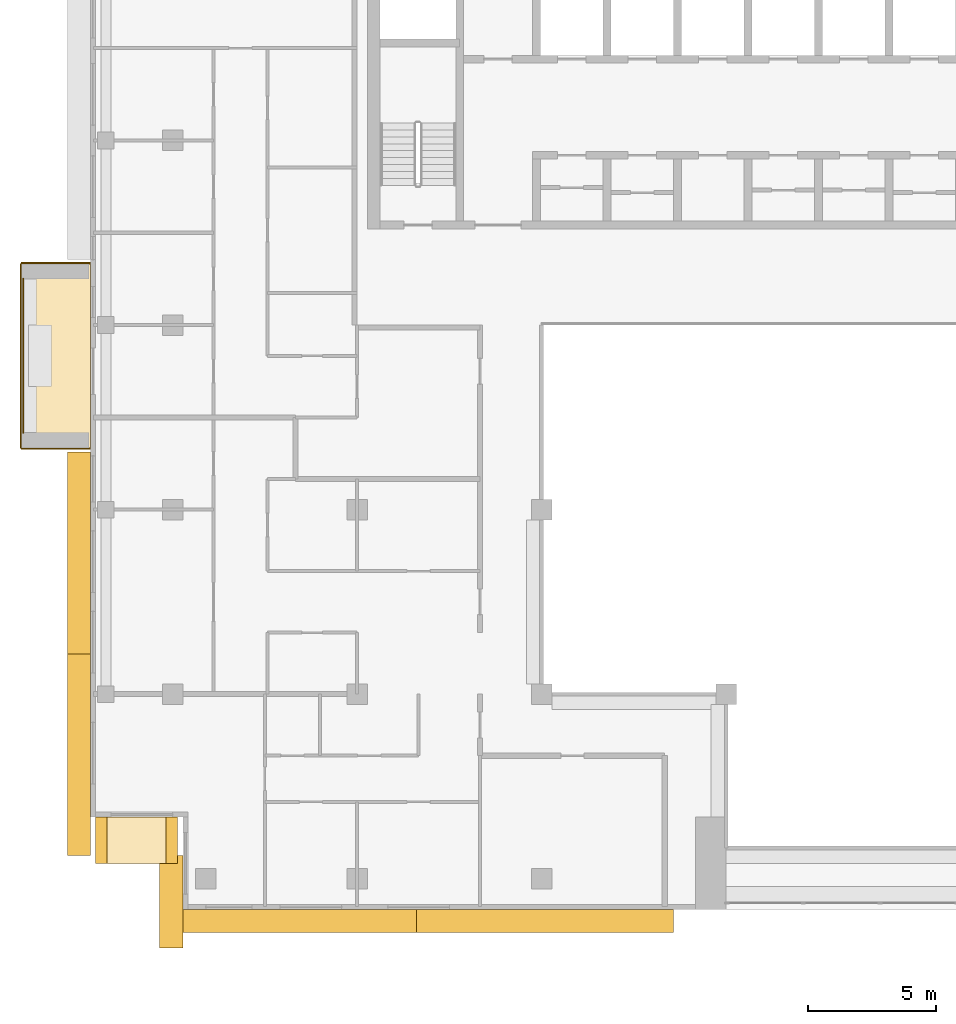
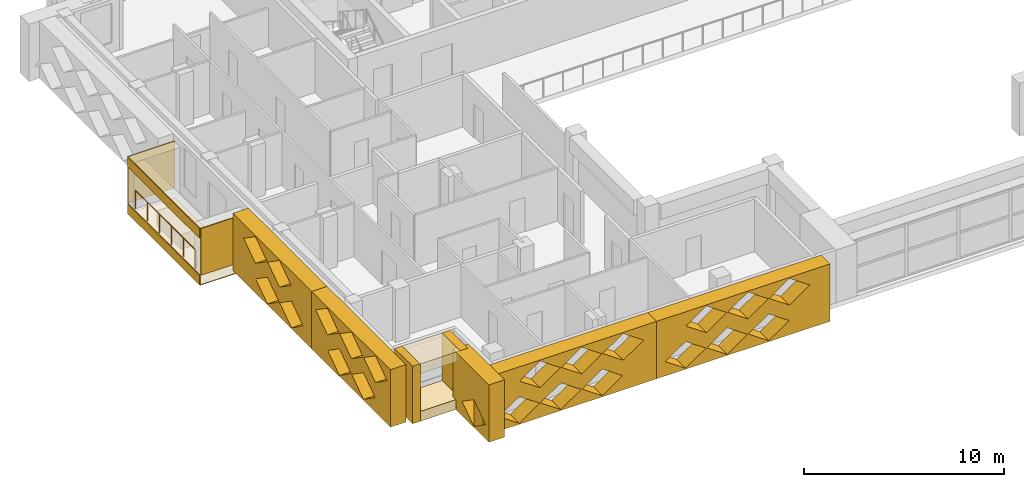
# One storey, part 13 of 19: 14 coverings, 1 railing.
"""IFC4 building model written with IfcOpenShell, lengths in metres."""

from ifc_helpers import new_model, si_unit, direction, frame, origin, origin_2d, place, context, subcontext, project, spatial, polyline, circle, outline, extrude, material, layer, layer_set, type_object, element, save


model = new_model("IFC4")

# Units and contexts
model_context = context("Model", 3, precision=1e-05, world=origin(), true_north=direction((0.0, 1.0)))
body_context = subcontext(model_context, "Body", "Model", "MODEL_VIEW")
ifc_project = project(units=[si_unit("LENGTHUNIT", "METRE"), si_unit("AREAUNIT", "SQUARE_METRE"), si_unit("VOLUMEUNIT", "CUBIC_METRE"), si_unit("PLANEANGLEUNIT", "RADIAN"), si_unit("MASSUNIT", "GRAM", prefix="KILO")], contexts=[model_context])

# Site, building, storey
site_placement = place(None, origin())
site = spatial("IfcSite", under=ifc_project, at=site_placement, CompositionType="ELEMENT")
building_placement = place(site_placement, origin())
building = spatial("IfcBuilding", under=site, at=building_placement, Name="Saffron Iwan Residences", CompositionType="ELEMENT")
storey_placement = place(building_placement, frame((0.0, 0.0, 232.5)))
storey = spatial("IfcBuildingStorey", under=building, at=storey_placement, Name="L62", CompositionType="ELEMENT", Elevation=232.5)

# Railing
ifc_material_1 = material(Name="Stainless steel 316", Category="steel")
railing_type = type_object("IfcRailingType", Name="BALCONY GUARD 1150", PredefinedType="GUARDRAIL", material=ifc_material_1)
railing_placement = place(storey_placement, frame((15.77490234375, 64.199951171875, 0.0)))
element("IfcRailing", 1, at=railing_placement, inside=storey, type_object=railing_type, Name="Balcony guard L62 F8-0", PredefinedType="GUARDRAIL", context=body_context, shape_type="SweptSolid", body=[
    extrude(circle(Radius=0.02392578125, at=origin_2d()), frame((0.0, 0.0, 1.1259765625), z_axis=(0.0, -1.0, 0.0), x_axis=(1.0, 0.0, 0.0)), (0.0, 0.0, 1.0), 6.0),
    extrude(circle(Radius=0.02099609375, at=origin_2d()), origin(), (0.0, 0.0, 1.0), 1.101806640625),
    extrude(circle(Radius=0.02099609375, at=origin_2d()), frame((0.0, -1.199951171875, 0.0)), (0.0, 0.0, 1.0), 1.101806640625),
    extrude(circle(Radius=0.02099609375, at=origin_2d()), frame((0.0, -2.39990234375, 0.0)), (0.0, 0.0, 1.0), 1.101806640625),
    extrude(circle(Radius=0.02099609375, at=origin_2d()), frame((0.0, -3.60009765625, 0.0)), (0.0, 0.0, 1.0), 1.101806640625),
    extrude(circle(Radius=0.02099609375, at=origin_2d()), frame((0.0, -4.800048828125, 0.0)), (0.0, 0.0, 1.0), 1.101806640625),
    extrude(circle(Radius=0.02099609375, at=origin_2d()), frame((0.0, -6.0, 0.0)), (0.0, 0.0, 1.0), 1.101806640625),
])

# Coverings
ifc_material_2 = material(Name="Precast concrete C40/50 white painted", Category="concrete")
ifc_layer = layer(ifc_material_2, 0.050048828125)
ifc_layer_set = layer_set([ifc_layer], Name="Precast concrete C40/50 white painted")
covering_type_1 = type_object("IfcCoveringType", Name="FRAME SKIN PRECAST WHITE 50", PredefinedType="CLADDING", material=ifc_layer_set)
for number, where, name in (
    (2, (0.0, 0.0, -0.60009765625), "Frame skin slab edge L62 F8-0"),
    (3, (0.0, 0.0, 2.25), "Frame skin fascia L62 F8-0"),
):
    element("IfcCovering", number, at=place(storey_placement, frame(where)), inside=storey, type_object=covering_type_1, Name=name, PredefinedType="CLADDING", context=body_context, shape_type="SweptSolid", body=[
        extrude(outline(polyline([(15.64990234375, 64.800048828125), (15.64990234375, 57.60009765625), (15.699951171875, 57.60009765625), (15.699951171875, 64.800048828125), (15.64990234375, 64.800048828125)])), origin(), (0.0, 0.0, 1.0), 0.60009765625),
    ])
covering_1_placement = place(storey_placement, frame((0.0, 0.0, -0.64990234375)))
element("IfcCovering", 4, at=covering_1_placement, inside=storey, type_object=covering_type_1, Name="Frame skin soffit L62 F8-0", PredefinedType="CLADDING", context=body_context, shape_type="SweptSolid", body=[
    extrude(outline(polyline([(15.699951171875, 64.800048828125), (15.699951171875, 57.60009765625), (18.39990234375, 57.60009765625), (18.39990234375, 64.800048828125), (15.699951171875, 64.800048828125)])), origin(), (0.0, 0.0, 1.0), 0.0498046875),
])
covering_2_placement = place(storey_placement, origin())
element("IfcCovering", 5, at=covering_2_placement, inside=storey, type_object=covering_type_1, Name="Frame skin fin L62 F8-0a", PredefinedType="CLADDING", context=body_context, shape_type="SweptSolid", body=[
    extrude(outline(polyline([(15.699951171875, 64.85009765625), (15.699951171875, 64.800048828125), (18.39990234375, 64.800048828125), (18.39990234375, 64.85009765625), (15.699951171875, 64.85009765625)])), origin(), (0.0, 0.0, 1.0), 2.85009765625),
])
covering_3_placement = place(storey_placement, origin())
element("IfcCovering", 6, at=covering_3_placement, inside=storey, type_object=covering_type_1, Name="Frame skin fin L62 F8-0b", PredefinedType="CLADDING", context=body_context, shape_type="SweptSolid", body=[
    extrude(outline(polyline([(15.699951171875, 57.60009765625), (15.699951171875, 57.550048828125), (18.39990234375, 57.550048828125), (18.39990234375, 57.60009765625), (15.699951171875, 57.60009765625)])), origin(), (0.0, 0.0, 1.0), 2.85009765625),
])
ifc_material_3 = material(Name="Precast concrete C40/50", Category="concrete")
covering_type_2 = type_object("IfcCoveringType", Name="OUTER SKIN LATTICE SCREEN", PredefinedType="CLADDING", material=ifc_material_3)
covering_4_placement = place(storey_placement, frame((18.39990234375, 57.449951171875, -0.280029296875), z_axis=(-1.0, 0.0, 0.0), x_axis=(0.0, -1.0, 0.0)))
element("IfcCovering", 7, at=covering_4_placement, inside=storey, type_object=covering_type_2, Name="OUTER SKIN lattice screen L62 F8.1", PredefinedType="CLADDING", context=body_context, shape_type="SweptSolid", body=[
    extrude(outline(polyline([(0.0, 0.0), (7.875, 0.0), (7.875, 3.5), (0.0, 3.5), (0.0, 0.0)]), holes=[polyline([(2.27001953125, 0.875), (3.449951171875, 0.06005859375), (4.6298828125, 0.875), (3.449951171875, 1.68994140625), (2.27001953125, 0.875)]), polyline([(4.669921875, 0.875), (5.85009765625, 0.06005859375), (7.030029296875, 0.875), (5.85009765625, 1.68994140625), (4.669921875, 0.875)]), polyline([(1.070068359375, 2.625), (2.25, 1.81005859375), (3.429931640625, 2.625), (2.25, 3.43994140625), (1.070068359375, 2.625)]), polyline([(3.469970703125, 2.625), (4.64990234375, 1.81005859375), (5.830078125, 2.625), (4.64990234375, 3.43994140625), (3.469970703125, 2.625)])]), origin(), (0.0, 0.0, 1.0), 0.89990234375),
])
covering_5_placement = place(storey_placement, frame((18.39990234375, 49.574951171875, -0.280029296875), z_axis=(-1.0, 0.0, 0.0), x_axis=(0.0, -1.0, 0.0)))
element("IfcCovering", 8, at=covering_5_placement, inside=storey, type_object=covering_type_2, Name="OUTER SKIN lattice screen L62 F8.2", PredefinedType="CLADDING", context=body_context, shape_type="SweptSolid", body=[
    extrude(outline(polyline([(0.0, 0.0), (7.875, 0.0), (7.875, 3.5), (0.0, 3.5), (0.0, 0.0)]), holes=[polyline([(1.594970703125, 0.875), (2.77490234375, 0.06005859375), (3.955078125, 0.875), (2.77490234375, 1.68994140625), (1.594970703125, 0.875)]), polyline([(3.9951171875, 0.875), (5.175048828125, 0.06005859375), (6.35498046875, 0.875), (5.175048828125, 1.68994140625), (3.9951171875, 0.875)]), polyline([(0.39501953125, 2.625), (1.574951171875, 1.81005859375), (2.7548828125, 2.625), (1.574951171875, 3.43994140625), (0.39501953125, 2.625)]), polyline([(2.794921875, 2.625), (3.97509765625, 1.81005859375), (5.155029296875, 2.625), (3.97509765625, 3.43994140625), (2.794921875, 2.625)]), polyline([(5.195068359375, 2.625), (6.375, 1.81005859375), (7.554931640625, 2.625), (6.375, 3.43994140625), (5.195068359375, 2.625)])]), origin(), (0.0, 0.0, 1.0), 0.89990234375),
])
covering_6_placement = place(storey_placement, frame((22.0, 41.699951171875, -0.280029296875), z_axis=(-1.0, 0.0, 0.0), x_axis=(0.0, -1.0, 0.0)))
element("IfcCovering", 9, at=covering_6_placement, inside=storey, type_object=covering_type_2, Name="OUTER SKIN lattice screen L62 F10.0", PredefinedType="CLADDING", context=body_context, shape_type="SweptSolid", body=[
    extrude(outline(polyline([(0.0, 0.0), (3.60009765625, 0.0), (3.60009765625, 3.5), (0.0, 3.5), (0.0, 0.0)]), holes=[polyline([(0.919921875, 0.875), (2.10009765625, 0.06005859375), (3.280029296875, 0.875), (2.10009765625, 1.68994140625), (0.919921875, 0.875)])]), origin(), (0.0, 0.0, 1.0), 0.89990234375),
])
covering_7_placement = place(storey_placement, frame((21.10009765625, 39.60009765625, -0.280029296875), z_axis=(0.0, -1.0, 0.0), x_axis=(1.0, 0.0, 0.0)))
element("IfcCovering", 10, at=covering_7_placement, inside=storey, type_object=covering_type_2, Name="OUTER SKIN lattice screen L62 F11.0", PredefinedType="CLADDING", context=body_context, shape_type="SweptSolid", body=[
    extrude(outline(polyline([(0.0, 0.0), (10.02490234375, 0.0), (10.02490234375, 3.5), (0.0, 3.5), (0.0, 0.0)]), holes=[polyline([(0.919921875, 0.875), (2.10009765625, 0.06005859375), (3.280029296875, 0.875), (2.10009765625, 1.68994140625), (0.919921875, 0.875)]), polyline([(3.320068359375, 0.875), (4.5, 0.06005859375), (5.679931640625, 0.875), (4.5, 1.68994140625), (3.320068359375, 0.875)]), polyline([(5.719970703125, 0.875), (6.89990234375, 0.06005859375), (8.080078125, 0.875), (6.89990234375, 1.68994140625), (5.719970703125, 0.875)]), polyline([(2.1201171875, 2.625), (3.300048828125, 1.81005859375), (4.47998046875, 2.625), (3.300048828125, 3.43994140625), (2.1201171875, 2.625)]), polyline([(4.52001953125, 2.625), (5.699951171875, 1.81005859375), (6.8798828125, 2.625), (5.699951171875, 3.43994140625), (4.52001953125, 2.625)]), polyline([(6.919921875, 2.625), (8.10009765625, 1.81005859375), (9.280029296875, 2.625), (8.10009765625, 3.43994140625), (6.919921875, 2.625)])]), origin(), (0.0, 0.0, 1.0), 0.900146484375),
])
covering_8_placement = place(storey_placement, frame((31.125, 39.60009765625, -0.280029296875), z_axis=(0.0, -1.0, 0.0), x_axis=(1.0, 0.0, 0.0)))
element("IfcCovering", 11, at=covering_8_placement, inside=storey, type_object=covering_type_2, Name="OUTER SKIN lattice screen L62 F11.1", PredefinedType="CLADDING", context=body_context, shape_type="SweptSolid", body=[
    extrude(outline(polyline([(0.0, 0.0), (10.02490234375, 0.0), (10.02490234375, 3.5), (0.0, 3.5), (0.0, 0.0)]), holes=[polyline([(0.4951171875, 0.875), (1.675048828125, 0.06005859375), (2.85498046875, 0.875), (1.675048828125, 1.68994140625), (0.4951171875, 0.875)]), polyline([(2.89501953125, 0.875), (4.074951171875, 0.06005859375), (5.2548828125, 0.875), (4.074951171875, 1.68994140625), (2.89501953125, 0.875)]), polyline([(5.294921875, 0.875), (6.47509765625, 0.06005859375), (7.655029296875, 0.875), (6.47509765625, 1.68994140625), (5.294921875, 0.875)]), polyline([(1.695068359375, 2.625), (2.875, 1.81005859375), (4.054931640625, 2.625), (2.875, 3.43994140625), (1.695068359375, 2.625)]), polyline([(4.094970703125, 2.625), (5.27490234375, 1.81005859375), (6.455078125, 2.625), (5.27490234375, 3.43994140625), (4.094970703125, 2.625)]), polyline([(6.4951171875, 2.625), (7.675048828125, 1.81005859375), (8.85498046875, 2.625), (7.675048828125, 3.43994140625), (6.4951171875, 2.625)])]), origin(), (0.0, 0.0, 1.0), 0.900146484375),
])
covering_type_3 = type_object("IfcCoveringType", Name="WHITE SUN FRAME PRECAST", PredefinedType="CLADDING", material=ifc_material_2)
for number, where, z_axis, x_axis, name in (
    (12, (18.60009765625, 43.199951171875, -0.280029296875), (0.0, -1.0, 0.0), (1.0, 0.0, 0.0), "Sun frame L62 F9 0.2a"),
    (13, (21.35009765625, 43.199951171875, -0.280029296875), (0.0, -1.0, 0.0), (1.0, 0.0, 0.0), "Sun frame L62 F9 0.2b"),
):
    element("IfcCovering", number, at=place(storey_placement, frame(where, z_axis=z_axis, x_axis=x_axis)), inside=storey, type_object=covering_type_3, Name=name, PredefinedType="CLADDING", context=body_context, shape_type="SweptSolid", body=[
        extrude(outline(polyline([(0.0, 0.0), (0.449951171875, 0.0), (0.449951171875, 3.5), (0.0, 3.5), (0.0, 0.0)])), origin(), (0.0, 0.0, 1.0), 1.800048828125),
    ])
for number, where, z_axis, x_axis, name in (
    (14, (19.050048828125, 43.199951171875, 2.6201171875), (0.0, -1.0, 0.0), (1.0, 0.0, 0.0), "Sun frame L62 F9 0.2h"),
    (15, (19.050048828125, 43.199951171875, -0.280029296875), (0.0, -1.0, 0.0), (1.0, 0.0, 0.0), "Sun frame L62 F9 0.2s"),
):
    element("IfcCovering", number, at=place(storey_placement, frame(where, z_axis=z_axis, x_axis=x_axis)), inside=storey, type_object=covering_type_3, Name=name, PredefinedType="CLADDING", context=body_context, shape_type="SweptSolid", body=[
        extrude(outline(polyline([(0.0, 0.0), (2.300048828125, 0.0), (2.300048828125, 0.60009765625), (0.0, 0.60009765625), (0.0, 0.0)])), origin(), (0.0, 0.0, 1.0), 1.800048828125),
    ])

save(model, "model.ifc")
